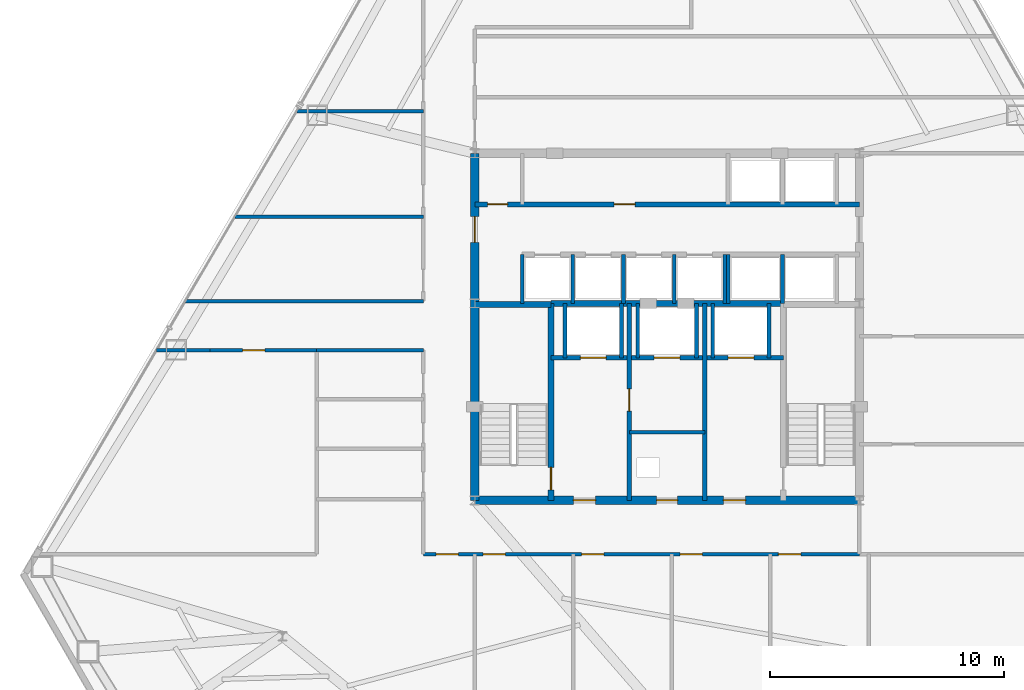
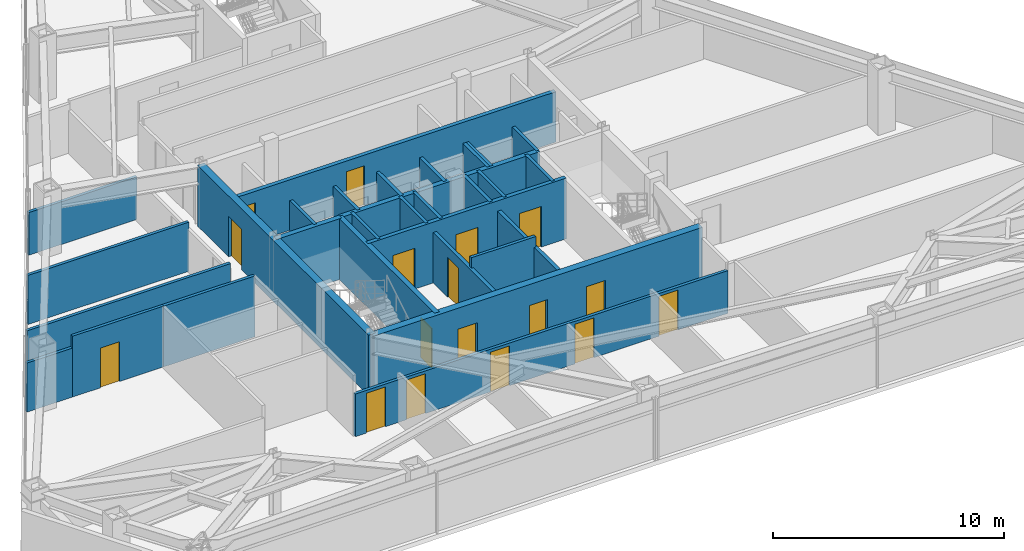
# One storey, part 9 of 12: 30 walls, 17 doors, 17 openings.
"""IFC4 building model written with IfcOpenShell, lengths in metres."""

from ifc_helpers import new_model, si_unit, direction, frame, frame_2d, origin, place, context, subcontext, project, spatial, rectangle, extrude, material, layer, layer_set, type_object, element, fill, save


model = new_model("IFC4")

# Units and contexts
model_context = context("Model", 3, precision=1e-05, world=origin(), true_north=direction((0.0, 1.0)))
body_context = subcontext(model_context, "Body", "Model", "MODEL_VIEW")
ifc_project = project(units=[si_unit("LENGTHUNIT", "METRE"), si_unit("AREAUNIT", "SQUARE_METRE"), si_unit("VOLUMEUNIT", "CUBIC_METRE"), si_unit("PLANEANGLEUNIT", "RADIAN"), si_unit("MASSUNIT", "GRAM", prefix="KILO")], contexts=[model_context])

# Site, building, storey
site_placement = place(None, origin())
site = spatial("IfcSite", under=ifc_project, at=site_placement, CompositionType="ELEMENT")
building_placement = place(site_placement, origin())
building = spatial("IfcBuilding", under=site, at=building_placement, Name="Varakhsha Concourse Tower", CompositionType="ELEMENT")
storey_placement = place(building_placement, frame((0.0, 0.0, 129.800048828125)))
storey = spatial("IfcBuildingStorey", under=building, at=storey_placement, Name="L37", CompositionType="ELEMENT", Elevation=129.800048828125)

# Wall, openings, doors
ifc_material_1 = material(Name="Concrete fc 65 MPa", Category="concrete")
ifc_layer_1 = layer(ifc_material_1, 0.35009765625, Name="WL-CORE-350")
ifc_layer_set_1 = layer_set([ifc_layer_1], Name="Concrete fc 65 MPa")
wall_type_1 = type_object("IfcWallType", Name="WL-CORE-350", PredefinedType="SHEAR", material=ifc_layer_set_1)
wall_1_placement = place(storey_placement, frame((31.800048828125, 16.39990234375, 0.0), z_axis=(0.0, 0.0, 1.0), x_axis=(1.0, 0.0, 0.0)))
wall_1 = element("IfcWall", 1, at=wall_1_placement, inside=storey, type_object=wall_type_1, Name="L37 Wall CWALL-S-L37", PredefinedType="SHEAR", context=body_context, shape_type="SweptSolid", body=[
    extrude(rectangle(XDim=16.39990234375, YDim=0.35009765625, at=frame_2d((8.199951171875, 0.0))), origin(), (0.0, 0.0, 1.0), 3.2099609375),
])
opening_1_placement = place(wall_1_placement, frame((7.75, 0.0, 0.0)))
opening_1 = element("IfcOpeningElement", 2, at=opening_1_placement, cuts=wall_1, Name="Opening DF-06", PredefinedType="OPENING", context=body_context, shape_type="SweptSolid", body=[
    extrude(rectangle(XDim=0.89990234375, YDim=2.10009765625, at=frame_2d((0.449951171875, 1.050048828125))), frame((0.0, 0.18505859375, 0.0), z_axis=(0.0, -1.0, 0.0), x_axis=(1.0, 0.0, 0.0)), (0.0, 0.0, 1.0), 0.3701171875),
])
opening_2_placement = place(wall_1_placement, frame((4.199951171875, 0.0, 0.0)))
opening_2 = element("IfcOpeningElement", 3, at=opening_2_placement, cuts=wall_1, Name="Opening DF-05", PredefinedType="OPENING", context=body_context, shape_type="SweptSolid", body=[
    extrude(rectangle(XDim=0.949951171875, YDim=2.10009765625, at=frame_2d((0.47509765625, 1.050048828125))), frame((0.0, 0.18505859375, 0.0), z_axis=(0.0, -1.0, 0.0), x_axis=(1.0, 0.0, 0.0)), (0.0, 0.0, 1.0), 0.3701171875),
])
opening_3_placement = place(wall_1_placement, frame((10.60009765625, 0.0, 0.0)))
opening_3 = element("IfcOpeningElement", 4, at=opening_3_placement, cuts=wall_1, Name="Opening DF-05", PredefinedType="OPENING", context=body_context, shape_type="SweptSolid", body=[
    extrude(rectangle(XDim=0.949951171875, YDim=2.10009765625, at=frame_2d((0.47509765625, 1.050048828125))), frame((0.0, 0.18505859375, 0.0), z_axis=(0.0, -1.0, 0.0), x_axis=(1.0, 0.0, 0.0)), (0.0, 0.0, 1.0), 0.3701171875),
])
ifc_material_2 = material(Name="Hollow Galvanised Steel Fire Door Assembly", Category="steel")
door_type_1 = type_object("IfcDoorType", Name="DR-FD60-900", OperationType="NOTDEFINED", PredefinedType="DOOR", material=ifc_material_2)
door_1_placement = place(opening_1_placement, origin())
door_1 = element("IfcDoor", 5, at=door_1_placement, inside=storey, type_object=door_type_1, Name="L37 Electrical Riser Access Door", OperationType="SINGLE_SWING_LEFT", OverallHeight=2.10009765625, OverallWidth=0.89990234375, PredefinedType="DOOR", context=body_context, shape_type="SweptSolid", body=[
    extrude(rectangle(XDim=0.89990234375, YDim=2.10009765625, at=frame_2d((0.449951171875, 1.050048828125))), frame((0.0, 0.02490234375, 0.0), z_axis=(0.0, -1.0, 0.0), x_axis=(1.0, 0.0, 0.0)), (0.0, 0.0, 1.0), 0.050048828125),
])
fill(opening_1, door_1)
door_type_2 = type_object("IfcDoorType", Name="DR-FD60-950", OperationType="NOTDEFINED", PredefinedType="DOOR", material=ifc_material_2)
door_2_placement = place(opening_2_placement, origin())
door_2 = element("IfcDoor", 6, at=door_2_placement, inside=storey, type_object=door_type_2, Name="L37 Firefighting Lobby West Door", OperationType="SINGLE_SWING_RIGHT", OverallHeight=2.10009765625, OverallWidth=0.949951171875, PredefinedType="DOOR", context=body_context, shape_type="SweptSolid", body=[
    extrude(rectangle(XDim=0.949951171875, YDim=2.10009765625, at=frame_2d((0.47509765625, 1.050048828125))), frame((0.0, 0.02490234375, 0.0), z_axis=(0.0, -1.0, 0.0), x_axis=(1.0, 0.0, 0.0)), (0.0, 0.0, 1.0), 0.050048828125),
])
fill(opening_2, door_2)
door_3_placement = place(opening_3_placement, origin())
door_3 = element("IfcDoor", 7, at=door_3_placement, inside=storey, type_object=door_type_2, Name="L37 Firefighting Lobby East Door", OperationType="SINGLE_SWING_LEFT", OverallHeight=2.10009765625, OverallWidth=0.949951171875, PredefinedType="DOOR", context=body_context, shape_type="SweptSolid", body=[
    extrude(rectangle(XDim=0.949951171875, YDim=2.10009765625, at=frame_2d((0.47509765625, 1.050048828125))), frame((0.0, 0.02490234375, 0.0), z_axis=(0.0, -1.0, 0.0), x_axis=(1.0, 0.0, 0.0)), (0.0, 0.0, 1.0), 0.050048828125),
])
fill(opening_3, door_3)

# Wall, opening, door
wall_2_placement = place(storey_placement, frame((31.800048828125, 16.39990234375, 0.0), z_axis=(0.0, 0.0, 1.0), x_axis=(0.0, 1.0, 0.0)))
wall_2 = element("IfcWall", 8, at=wall_2_placement, inside=storey, type_object=wall_type_1, Name="L37 Wall CWALL-W-L37", PredefinedType="SHEAR", context=body_context, shape_type="SweptSolid", body=[
    extrude(rectangle(XDim=14.800048828125, YDim=0.35009765625, at=frame_2d((7.39990234375, 0.0))), origin(), (0.0, 0.0, 1.0), 3.2099609375),
])
opening_4_placement = place(wall_2_placement, frame((11.0, 0.0, 0.0)))
opening_4 = element("IfcOpeningElement", 9, at=opening_4_placement, cuts=wall_2, Name="Opening DL-01", PredefinedType="OPENING", context=body_context, shape_type="SweptSolid", body=[
    extrude(rectangle(XDim=1.10009765625, YDim=2.14990234375, at=frame_2d((0.550048828125, 1.074951171875))), frame((0.0, 0.18505859375, 0.0), z_axis=(0.0, -1.0, 0.0), x_axis=(1.0, 0.0, 0.0)), (0.0, 0.0, 1.0), 0.3701171875),
])
ifc_material_3 = material(Name="Anodised Bronze Architectural Aluminium AA 6063-T6", Category="aluminium")
door_type_3 = type_object("IfcDoorType", Name="DR-LOB-1100", OperationType="NOTDEFINED", PredefinedType="DOOR", material=ifc_material_3)
door_4_placement = place(opening_4_placement, origin())
door_4 = element("IfcDoor", 10, at=door_4_placement, inside=storey, type_object=door_type_3, Name="L37 Lift Lobby West Concourse Door", OperationType="SINGLE_SWING_LEFT", OverallHeight=2.14990234375, OverallWidth=1.10009765625, PredefinedType="DOOR", context=body_context, shape_type="SweptSolid", body=[
    extrude(rectangle(XDim=1.10009765625, YDim=2.14990234375, at=frame_2d((0.550048828125, 1.074951171875))), frame((0.0, 0.02490234375, 0.0), z_axis=(0.0, -1.0, 0.0), x_axis=(1.0, 0.0, 0.0)), (0.0, 0.0, 1.0), 0.050048828125),
])
fill(opening_4, door_4)

ifc_material_4 = material(Name="Fire-Rated Type X Gypsum Partition Assembly", Category="gypsum")
ifc_layer_2 = layer(ifc_material_4, 0.179931640625, Name="WL-FFLOB-180")
ifc_layer_set_2 = layer_set([ifc_layer_2], Name="Fire-Rated Type X Gypsum Partition Assembly")
wall_type_2 = type_object("IfcWallType", Name="WL-FFLOB-180", PredefinedType="PARTITIONING", material=ifc_layer_set_2)
wall_3_placement = place(storey_placement, frame((38.389892578125, 16.39990234375, 0.0), z_axis=(0.0, 0.0, 1.0), x_axis=(0.0, 1.0, 0.0)))
wall_3 = element("IfcWall", 11, at=wall_3_placement, inside=storey, type_object=wall_type_2, Name="L37 Wall FFW-1E-L37", PredefinedType="PARTITIONING", context=body_context, shape_type="SweptSolid", body=[
    extrude(rectangle(XDim=8.400146484375, YDim=0.179931640625, at=frame_2d((4.2001953125, 0.0))), origin(), (0.0, 0.0, 1.0), 2.660888671875),
])
opening_5_placement = place(wall_3_placement, frame((3.800048828125, 0.0, 0.0)))
opening_5 = element("IfcOpeningElement", 12, at=opening_5_placement, cuts=wall_3, Name="Opening DF-05", PredefinedType="OPENING", context=body_context, shape_type="SweptSolid", body=[
    extrude(rectangle(XDim=0.949951171875, YDim=2.10009765625, at=frame_2d((0.47509765625, 1.050048828125))), frame((0.0, 0.099853515625, 0.0), z_axis=(0.0, -1.0, 0.0), x_axis=(1.0, 0.0, 0.0)), (0.0, 0.0, 1.0), 0.199951171875),
])
door_5_placement = place(opening_5_placement, origin())
door_5 = element("IfcDoor", 13, at=door_5_placement, inside=storey, type_object=door_type_2, Name="L37 Service Vestibule Door", OperationType="SINGLE_SWING_RIGHT", OverallHeight=2.10009765625, OverallWidth=0.949951171875, PredefinedType="DOOR", context=body_context, shape_type="SweptSolid", body=[
    extrude(rectangle(XDim=0.949951171875, YDim=2.10009765625, at=frame_2d((0.47509765625, 1.050048828125))), frame((0.0, 0.02490234375, 0.0), z_axis=(0.0, -1.0, 0.0), x_axis=(1.0, 0.0, 0.0)), (0.0, 0.0, 1.0), 0.050048828125),
])
fill(opening_5, door_5)

# Walls
wall_4_placement = place(storey_placement, frame((41.610107421875, 16.39990234375, 0.0), z_axis=(0.0, 0.0, 1.0), x_axis=(0.0, 1.0, 0.0)))
element("IfcWall", 14, at=wall_4_placement, inside=storey, type_object=wall_type_2, Name="L37 Wall FFW-2W-L37", PredefinedType="PARTITIONING", context=body_context, shape_type="SweptSolid", body=[
    extrude(rectangle(XDim=8.400146484375, YDim=0.179931640625, at=frame_2d((4.2001953125, 0.0))), origin(), (0.0, 0.0, 1.0), 2.660888671875),
])
ifc_layer_3 = layer(ifc_material_4, 0.14990234375, Name="WL-PART-150")
ifc_layer_set_3 = layer_set([ifc_layer_3], Name="Fire-Rated Type X Gypsum Partition Assembly")
wall_type_3 = type_object("IfcWallType", Name="WL-PART-150", PredefinedType="PARTITIONING", material=ifc_layer_set_3)
wall_5_placement = place(storey_placement, frame((38.389892578125, 19.300048828125, 0.0), z_axis=(0.0, 0.0, 1.0), x_axis=(1.0, 0.0, 0.0)))
element("IfcWall", 15, at=wall_5_placement, inside=storey, type_object=wall_type_3, Name="L37 Wall RSW-H-L37", PredefinedType="PARTITIONING", context=body_context, shape_type="SweptSolid", body=[
    extrude(rectangle(XDim=3.22021484375, YDim=0.14990234375, at=frame_2d((1.610107421875, 0.0))), origin(), (0.0, 0.0, 1.0), 3.2099609375),
])

# Wall, openings, doors
wall_6_placement = place(storey_placement, frame((29.60009765625, 14.10009765625, 0.0), z_axis=(0.0, 0.0, 1.0), x_axis=(1.0, 0.0, 0.0)))
wall_6 = element("IfcWall", 16, at=wall_6_placement, inside=storey, type_object=wall_type_3, Name="L37 Wall CRW-S-L37", PredefinedType="PARTITIONING", context=body_context, shape_type="SweptSolid", body=[
    extrude(rectangle(XDim=18.599853515625, YDim=0.14990234375, at=frame_2d((9.2998046875, 0.0))), origin(), (0.0, 0.0, 1.0), 2.251953125),
])
opening_6_placement = place(wall_6_placement, frame((0.550048828125, 0.0, 0.0)))
opening_6 = element("IfcOpeningElement", 17, at=opening_6_placement, cuts=wall_6, Name="Opening DF-05", PredefinedType="OPENING", context=body_context, shape_type="SweptSolid", body=[
    extrude(rectangle(XDim=0.949951171875, YDim=2.10009765625, at=frame_2d((0.47509765625, 1.050048828125))), frame((0.0, 0.0849609375, 0.0), z_axis=(0.0, -1.0, 0.0), x_axis=(1.0, 0.0, 0.0)), (0.0, 0.0, 1.0), 0.169921875),
])
opening_7_placement = place(wall_6_placement, frame((2.550048828125, 0.0, 0.0)))
opening_7 = element("IfcOpeningElement", 18, at=opening_7_placement, cuts=wall_6, Name="Opening DF-05", PredefinedType="OPENING", context=body_context, shape_type="SweptSolid", body=[
    extrude(rectangle(XDim=0.949951171875, YDim=2.10009765625, at=frame_2d((0.47509765625, 1.050048828125))), frame((0.0, 0.0849609375, 0.0), z_axis=(0.0, -1.0, 0.0), x_axis=(1.0, 0.0, 0.0)), (0.0, 0.0, 1.0), 0.169921875),
])
opening_8_placement = place(wall_6_placement, frame((6.75, 0.0, 0.0)))
opening_8 = element("IfcOpeningElement", 19, at=opening_8_placement, cuts=wall_6, Name="Opening DF-05", PredefinedType="OPENING", context=body_context, shape_type="SweptSolid", body=[
    extrude(rectangle(XDim=0.949951171875, YDim=2.10009765625, at=frame_2d((0.47509765625, 1.050048828125))), frame((0.0, 0.0849609375, 0.0), z_axis=(0.0, -1.0, 0.0), x_axis=(1.0, 0.0, 0.0)), (0.0, 0.0, 1.0), 0.169921875),
])
opening_9_placement = place(wall_6_placement, frame((10.949951171875, 0.0, 0.0)))
opening_9 = element("IfcOpeningElement", 20, at=opening_9_placement, cuts=wall_6, Name="Opening DF-05", PredefinedType="OPENING", context=body_context, shape_type="SweptSolid", body=[
    extrude(rectangle(XDim=0.949951171875, YDim=2.10009765625, at=frame_2d((0.47509765625, 1.050048828125))), frame((0.0, 0.0849609375, 0.0), z_axis=(0.0, -1.0, 0.0), x_axis=(1.0, 0.0, 0.0)), (0.0, 0.0, 1.0), 0.169921875),
])
opening_10_placement = place(wall_6_placement, frame((15.14990234375, 0.0, 0.0)))
opening_10 = element("IfcOpeningElement", 21, at=opening_10_placement, cuts=wall_6, Name="Opening DF-05", PredefinedType="OPENING", context=body_context, shape_type="SweptSolid", body=[
    extrude(rectangle(XDim=0.949951171875, YDim=2.10009765625, at=frame_2d((0.47509765625, 1.050048828125))), frame((0.0, 0.0849609375, 0.0), z_axis=(0.0, -1.0, 0.0), x_axis=(1.0, 0.0, 0.0)), (0.0, 0.0, 1.0), 0.169921875),
])
door_6_placement = place(opening_6_placement, origin())
door_6 = element("IfcDoor", 22, at=door_6_placement, inside=storey, type_object=door_type_2, Name="L37 BIM Coordination Workroom L37-S1 Door", OperationType="SINGLE_SWING_LEFT", OverallHeight=2.10009765625, OverallWidth=0.949951171875, PredefinedType="DOOR", context=body_context, shape_type="SweptSolid", body=[
    extrude(rectangle(XDim=0.949951171875, YDim=2.10009765625, at=frame_2d((0.47509765625, 1.050048828125))), frame((0.0, 0.02490234375, 0.0), z_axis=(0.0, -1.0, 0.0), x_axis=(1.0, 0.0, 0.0)), (0.0, 0.0, 1.0), 0.050048828125),
])
fill(opening_6, door_6)
door_7_placement = place(opening_7_placement, origin())
door_7 = element("IfcDoor", 23, at=door_7_placement, inside=storey, type_object=door_type_2, Name="L37 Dry R&D Design Lab L37-S2 Door", OperationType="SINGLE_SWING_RIGHT", OverallHeight=2.10009765625, OverallWidth=0.949951171875, PredefinedType="DOOR", context=body_context, shape_type="SweptSolid", body=[
    extrude(rectangle(XDim=0.949951171875, YDim=2.10009765625, at=frame_2d((0.47509765625, 1.050048828125))), frame((0.0, 0.02490234375, 0.0), z_axis=(0.0, -1.0, 0.0), x_axis=(1.0, 0.0, 0.0)), (0.0, 0.0, 1.0), 0.050048828125),
])
fill(opening_7, door_7)
door_8_placement = place(opening_8_placement, origin())
door_8 = element("IfcDoor", 24, at=door_8_placement, inside=storey, type_object=door_type_2, Name="L37 Dry R&D Design Lab L37-S3 Door", OperationType="SINGLE_SWING_LEFT", OverallHeight=2.10009765625, OverallWidth=0.949951171875, PredefinedType="DOOR", context=body_context, shape_type="SweptSolid", body=[
    extrude(rectangle(XDim=0.949951171875, YDim=2.10009765625, at=frame_2d((0.47509765625, 1.050048828125))), frame((0.0, 0.02490234375, 0.0), z_axis=(0.0, -1.0, 0.0), x_axis=(1.0, 0.0, 0.0)), (0.0, 0.0, 1.0), 0.050048828125),
])
fill(opening_8, door_8)
door_9_placement = place(opening_9_placement, origin())
door_9 = element("IfcDoor", 25, at=door_9_placement, inside=storey, type_object=door_type_2, Name="L37 Dry R&D Design Lab L37-S4 Door", OperationType="SINGLE_SWING_RIGHT", OverallHeight=2.10009765625, OverallWidth=0.949951171875, PredefinedType="DOOR", context=body_context, shape_type="SweptSolid", body=[
    extrude(rectangle(XDim=0.949951171875, YDim=2.10009765625, at=frame_2d((0.47509765625, 1.050048828125))), frame((0.0, 0.02490234375, 0.0), z_axis=(0.0, -1.0, 0.0), x_axis=(1.0, 0.0, 0.0)), (0.0, 0.0, 1.0), 0.050048828125),
])
fill(opening_9, door_9)
door_10_placement = place(opening_10_placement, origin())
door_10 = element("IfcDoor", 26, at=door_10_placement, inside=storey, type_object=door_type_2, Name="L37 Dry R&D Design Lab L37-S5 Door", OperationType="SINGLE_SWING_LEFT", OverallHeight=2.10009765625, OverallWidth=0.949951171875, PredefinedType="DOOR", context=body_context, shape_type="SweptSolid", body=[
    extrude(rectangle(XDim=0.949951171875, YDim=2.10009765625, at=frame_2d((0.47509765625, 1.050048828125))), frame((0.0, 0.02490234375, 0.0), z_axis=(0.0, -1.0, 0.0), x_axis=(1.0, 0.0, 0.0)), (0.0, 0.0, 1.0), 0.050048828125),
])
fill(opening_10, door_10)

# Walls
wall_7_placement = place(storey_placement, frame((18.2236328125, 22.800048828125, 0.0), z_axis=(0.0, 0.0, 1.0), x_axis=(1.0, 0.0, 0.0)))
element("IfcWall", 27, at=wall_7_placement, inside=storey, type_object=wall_type_3, Name="L37 Wall CRW-WWS-W-L37", PredefinedType="PARTITIONING", context=body_context, shape_type="SweptSolid", body=[
    extrude(rectangle(XDim=2.2763671875, YDim=0.14990234375, at=frame_2d((1.13818359375, 0.0))), origin(), (0.0, 0.0, 1.0), 2.5888671875),
])
wall_8_placement = place(storey_placement, frame((25.050048828125, 22.800048828125, 0.0), z_axis=(0.0, 0.0, 1.0), x_axis=(1.0, 0.0, 0.0)))
element("IfcWall", 28, at=wall_8_placement, inside=storey, type_object=wall_type_3, Name="L37 Wall CRW-WWS-E-L37", PredefinedType="PARTITIONING", context=body_context, shape_type="SweptSolid", body=[
    extrude(rectangle(XDim=4.550048828125, YDim=0.14990234375, at=frame_2d((2.27490234375, 0.0))), origin(), (0.0, 0.0, 1.0), 3.2099609375),
])
wall_9_placement = place(storey_placement, frame((19.455078125, 24.89990234375, 0.0), z_axis=(0.0, 0.0, 1.0), x_axis=(1.0, 0.0, 0.0)))
element("IfcWall", 29, at=wall_9_placement, inside=storey, type_object=wall_type_3, Name="L37 Wall CRW-WWN-L37", PredefinedType="PARTITIONING", context=body_context, shape_type="SweptSolid", body=[
    extrude(rectangle(XDim=10.14501953125, YDim=0.14990234375, at=frame_2d((5.072509765625, 0.0))), origin(), (0.0, 0.0, 1.0), 2.5888671875),
])

# Wall, opening, door
wall_10_placement = place(storey_placement, frame((20.5, 22.800048828125, 0.0), z_axis=(0.0, 0.0, 1.0), x_axis=(1.0, 0.0, 0.0)))
wall_10 = element("IfcWall", 30, at=wall_10_placement, inside=storey, type_object=wall_type_3, Name="L37 Wall CRW-WWS-DOOR-L37", PredefinedType="PARTITIONING", context=body_context, shape_type="SweptSolid", body=[
    extrude(rectangle(XDim=4.550048828125, YDim=0.14990234375, at=frame_2d((2.27490234375, 0.0))), origin(), (0.0, 0.0, 1.0), 3.2099609375),
])
opening_11_placement = place(wall_10_placement, frame((1.39990234375, 0.0, 0.0)))
opening_11 = element("IfcOpeningElement", 31, at=opening_11_placement, cuts=wall_10, Name="Opening DF-05", PredefinedType="OPENING", context=body_context, shape_type="SweptSolid", body=[
    extrude(rectangle(XDim=0.949951171875, YDim=2.10009765625, at=frame_2d((0.47509765625, 1.050048828125))), frame((0.0, 0.0849609375, 0.0), z_axis=(0.0, -1.0, 0.0), x_axis=(1.0, 0.0, 0.0)), (0.0, 0.0, 1.0), 0.169921875),
])
door_11_placement = place(opening_11_placement, origin())
door_11 = element("IfcDoor", 32, at=door_11_placement, inside=storey, type_object=door_type_2, Name="L37 Instrumentation Calibration Studio L37-SW Door", OperationType="SINGLE_SWING_LEFT", OverallHeight=2.10009765625, OverallWidth=0.949951171875, PredefinedType="DOOR", context=body_context, shape_type="SweptSolid", body=[
    extrude(rectangle(XDim=0.949951171875, YDim=2.10009765625, at=frame_2d((0.47509765625, 1.050048828125))), frame((0.0, 0.02490234375, 0.0), z_axis=(0.0, -1.0, 0.0), x_axis=(1.0, 0.0, 0.0)), (0.0, 0.0, 1.0), 0.050048828125),
])
fill(opening_11, door_11)

# Walls
wall_11_placement = place(storey_placement, frame((21.56640625, 28.5, 0.0), z_axis=(0.0, 0.0, 1.0), x_axis=(1.0, 0.0, 0.0)))
element("IfcWall", 33, at=wall_11_placement, inside=storey, type_object=wall_type_3, Name="L37 Wall ODIV-W1-L37", PredefinedType="PARTITIONING", context=body_context, shape_type="SweptSolid", body=[
    extrude(rectangle(XDim=8.03369140625, YDim=0.14990234375, at=frame_2d((4.016845703125, 0.0))), origin(), (0.0, 0.0, 1.0), 2.5888671875),
])
wall_12_placement = place(storey_placement, frame((24.205322265625, 33.0, 0.0), z_axis=(0.0, 0.0, 1.0), x_axis=(1.0, 0.0, 0.0)))
element("IfcWall", 34, at=wall_12_placement, inside=storey, type_object=wall_type_3, Name="L37 Wall ODIV-W2-L37", PredefinedType="PARTITIONING", context=body_context, shape_type="SweptSolid", body=[
    extrude(rectangle(XDim=5.394775390625, YDim=0.14990234375, at=frame_2d((2.697265625, 0.0))), origin(), (0.0, 0.0, 1.0), 2.251953125),
])

# Wall, openings, doors
ifc_layer_4 = layer(ifc_material_4, 0.199951171875, Name="WL-SHAFT-220")
ifc_layer_set_4 = layer_set([ifc_layer_4], Name="Fire-Rated Type X Gypsum Partition Assembly")
wall_type_4 = type_object("IfcWallType", Name="WL-SHAFT-220", PredefinedType="SOLIDWALL", material=ifc_layer_set_4)
wall_13_placement = place(storey_placement, frame((35.044921875, 22.47998046875, 0.0), z_axis=(0.0, 0.0, 1.0), x_axis=(1.0, 0.0, 0.0)))
wall_13 = element("IfcWall", 35, at=wall_13_placement, inside=storey, type_object=wall_type_4, Name="L37 Wall FFW-NH-L37", PredefinedType="SOLIDWALL", context=body_context, shape_type="SweptSolid", body=[
    extrude(rectangle(XDim=9.91015625, YDim=0.199951171875, at=frame_2d((4.955078125, 0.0))), origin(), (0.0, 0.0, 1.0), 3.2099609375),
])
opening_12_placement = place(wall_13_placement, frame((1.2548828125, 0.0, 0.0)))
opening_12 = element("IfcOpeningElement", 36, at=opening_12_placement, cuts=wall_13, Name="Opening LD-FFL-1", PredefinedType="OPENING", context=body_context, shape_type="SweptSolid", body=[
    extrude(rectangle(XDim=1.10009765625, YDim=2.14990234375, at=frame_2d((0.550048828125, 1.074951171875))), frame((0.0, 0.10986328125, 0.0), z_axis=(0.0, -1.0, 0.0), x_axis=(1.0, 0.0, 0.0)), (0.0, 0.0, 1.0), 0.219970703125),
])
opening_13_placement = place(wall_13_placement, frame((7.554931640625, 0.0, 0.0)))
opening_13 = element("IfcOpeningElement", 37, at=opening_13_placement, cuts=wall_13, Name="Opening LD-FFL-2", PredefinedType="OPENING", context=body_context, shape_type="SweptSolid", body=[
    extrude(rectangle(XDim=1.10009765625, YDim=2.14990234375, at=frame_2d((0.550048828125, 1.074951171875))), frame((0.0, 0.10986328125, 0.0), z_axis=(0.0, -1.0, 0.0), x_axis=(1.0, 0.0, 0.0)), (0.0, 0.0, 1.0), 0.219970703125),
])
opening_14_placement = place(wall_13_placement, frame((4.405029296875, 0.0, 0.0)))
opening_14 = element("IfcOpeningElement", 38, at=opening_14_placement, cuts=wall_13, Name="Opening LD-SVL-1", PredefinedType="OPENING", context=body_context, shape_type="SweptSolid", body=[
    extrude(rectangle(XDim=1.10009765625, YDim=2.14990234375, at=frame_2d((0.550048828125, 1.074951171875))), frame((0.0, 0.10986328125, 0.0), z_axis=(0.0, -1.0, 0.0), x_axis=(1.0, 0.0, 0.0)), (0.0, 0.0, 1.0), 0.219970703125),
])
ifc_material_5 = material(Name="Brushed Austenitic Stainless Steel AISI 316", Category="steel")
door_type_4 = type_object("IfcDoorType", Name="DR-LD-1100", OperationType="DOUBLE_DOOR_SLIDING", PredefinedType="DOOR", material=ifc_material_5)
door_12_placement = place(opening_12_placement, origin())
door_12 = element("IfcDoor", 39, at=door_12_placement, inside=storey, type_object=door_type_4, Name="Lift Landing Door FFL-1 L37", OperationType="DOUBLE_DOOR_SLIDING", OverallHeight=2.14990234375, OverallWidth=1.10009765625, PredefinedType="DOOR", context=body_context, shape_type="SweptSolid", body=[
    extrude(rectangle(XDim=1.10009765625, YDim=2.14990234375, at=frame_2d((0.550048828125, 1.074951171875))), frame((0.0, 0.02490234375, 0.0), z_axis=(0.0, -1.0, 0.0), x_axis=(1.0, 0.0, 0.0)), (0.0, 0.0, 1.0), 0.050048828125),
])
fill(opening_12, door_12)
door_13_placement = place(opening_13_placement, origin())
door_13 = element("IfcDoor", 40, at=door_13_placement, inside=storey, type_object=door_type_4, Name="Lift Landing Door FFL-2 L37", OperationType="DOUBLE_DOOR_SLIDING", OverallHeight=2.14990234375, OverallWidth=1.10009765625, PredefinedType="DOOR", context=body_context, shape_type="SweptSolid", body=[
    extrude(rectangle(XDim=1.10009765625, YDim=2.14990234375, at=frame_2d((0.550048828125, 1.074951171875))), frame((0.0, 0.02490234375, 0.0), z_axis=(0.0, -1.0, 0.0), x_axis=(1.0, 0.0, 0.0)), (0.0, 0.0, 1.0), 0.050048828125),
])
fill(opening_13, door_13)
door_14_placement = place(opening_14_placement, origin())
door_14 = element("IfcDoor", 41, at=door_14_placement, inside=storey, type_object=door_type_4, Name="Lift Landing Door SVL-1 L37", OperationType="DOUBLE_DOOR_SLIDING", OverallHeight=2.14990234375, OverallWidth=1.10009765625, PredefinedType="DOOR", context=body_context, shape_type="SweptSolid", body=[
    extrude(rectangle(XDim=1.10009765625, YDim=2.14990234375, at=frame_2d((0.550048828125, 1.074951171875))), frame((0.0, 0.02490234375, 0.0), z_axis=(0.0, -1.0, 0.0), x_axis=(1.0, 0.0, 0.0)), (0.0, 0.0, 1.0), 0.050048828125),
])
fill(opening_14, door_14)

# Walls
for number, where, z_axis, x_axis, name in (
    (42, (35.64990234375, 22.47998046875, 0.0), (0.0, 0.0, 1.0), (0.0, 1.0, 0.0), "L37 Wall SHW-FFL-1-W-L37"),
    (43, (38.050048828125, 22.47998046875, 0.0), (0.0, 0.0, 1.0), (0.0, 1.0, 0.0), "L37 Wall SHW-FFL-1-E-L37"),
    (44, (41.949951171875, 22.47998046875, 0.0), (0.0, 0.0, 1.0), (0.0, 1.0, 0.0), "L37 Wall SHW-FFL-2-W-L37"),
    (45, (44.35009765625, 22.47998046875, 0.0), (0.0, 0.0, 1.0), (0.0, 1.0, 0.0), "L37 Wall SHW-FFL-2-E-L37"),
    (46, (38.75, 22.47998046875, 0.0), (0.0, 0.0, 1.0), (0.0, 1.0, 0.0), "L37 Wall SHW-SVL-1-W-L37"),
    (47, (41.25, 22.47998046875, 0.0), (0.0, 0.0, 1.0), (0.0, 1.0, 0.0), "L37 Wall SHW-SVL-1-E-L37"),
):
    element("IfcWall", number, at=place(storey_placement, frame(where, z_axis=z_axis, x_axis=x_axis)), inside=storey, type_object=wall_type_4, Name=name, PredefinedType="SOLIDWALL", context=body_context, shape_type="SweptSolid", body=[
        extrude(rectangle(XDim=2.320068359375, YDim=0.159912109375, at=frame_2d((1.16015625, 0.0))), origin(), (0.0, 0.0, 1.0), 3.2099609375),
    ])

# Wall, openings, doors
wall_14_placement = place(storey_placement, frame((31.800048828125, 29.02001953125, 0.0), z_axis=(0.0, 0.0, 1.0), x_axis=(1.0, 0.0, 0.0)))
wall_14 = element("IfcWall", 48, at=wall_14_placement, inside=storey, type_object=wall_type_4, Name="L37 Wall PLW-N-L37", PredefinedType="SOLIDWALL", context=body_context, shape_type="SweptSolid", body=[
    extrude(rectangle(XDim=16.39990234375, YDim=0.199951171875, at=frame_2d((8.199951171875, 0.0))), origin(), (0.0, 0.0, 1.0), 2.660888671875),
])
opening_15_placement = place(wall_14_placement, frame((0.550048828125, 0.0, 0.0)))
opening_15 = element("IfcOpeningElement", 49, at=opening_15_placement, cuts=wall_14, Name="Opening DF-07", PredefinedType="OPENING", context=body_context, shape_type="SweptSolid", body=[
    extrude(rectangle(XDim=0.85009765625, YDim=2.050048828125, at=frame_2d((0.425048828125, 1.02490234375))), frame((0.0, 0.10986328125, 0.0), z_axis=(0.0, -1.0, 0.0), x_axis=(1.0, 0.0, 0.0)), (0.0, 0.0, 1.0), 0.219970703125),
])
opening_16_placement = place(wall_14_placement, frame((5.93994140625, 0.0, 0.0)))
opening_16 = element("IfcOpeningElement", 50, at=opening_16_placement, cuts=wall_14, Name="Opening DF-06", PredefinedType="OPENING", context=body_context, shape_type="SweptSolid", body=[
    extrude(rectangle(XDim=0.89990234375, YDim=2.10009765625, at=frame_2d((0.449951171875, 1.050048828125))), frame((0.0, 0.10986328125, 0.0), z_axis=(0.0, -1.0, 0.0), x_axis=(1.0, 0.0, 0.0)), (0.0, 0.0, 1.0), 0.219970703125),
])
door_type_5 = type_object("IfcDoorType", Name="DR-FD60-850", OperationType="NOTDEFINED", PredefinedType="DOOR", material=ifc_material_2)
door_15_placement = place(opening_15_placement, origin())
door_15 = element("IfcDoor", 51, at=door_15_placement, inside=storey, type_object=door_type_5, Name="L37 Core Janitor Closet Door", OperationType="SINGLE_SWING_LEFT", OverallHeight=2.050048828125, OverallWidth=0.85009765625, PredefinedType="DOOR", context=body_context, shape_type="SweptSolid", body=[
    extrude(rectangle(XDim=0.85009765625, YDim=2.050048828125, at=frame_2d((0.425048828125, 1.02490234375))), frame((0.0, 0.02490234375, 0.0), z_axis=(0.0, -1.0, 0.0), x_axis=(1.0, 0.0, 0.0)), (0.0, 0.0, 1.0), 0.050048828125),
])
fill(opening_15, door_15)
door_16_placement = place(opening_16_placement, origin())
door_16 = element("IfcDoor", 52, at=door_16_placement, inside=storey, type_object=door_type_1, Name="L37 Tenant Archive and IT Server Room Door", OperationType="SINGLE_SWING_LEFT", OverallHeight=2.10009765625, OverallWidth=0.89990234375, PredefinedType="DOOR", context=body_context, shape_type="SweptSolid", body=[
    extrude(rectangle(XDim=0.89990234375, YDim=2.10009765625, at=frame_2d((0.449951171875, 1.050048828125))), frame((0.0, 0.02490234375, 0.0), z_axis=(0.0, -1.0, 0.0), x_axis=(1.0, 0.0, 0.0)), (0.0, 0.0, 1.0), 0.050048828125),
])
fill(opening_16, door_16)

# Walls
for number, where, z_axis, x_axis, name in (
    (53, (33.820068359375, 24.800048828125, 0.0), (0.0, 0.0, 1.0), (0.0, 1.0, 0.0), "L37 Wall WBOH-E2-L37"),
    (54, (35.97998046875, 24.800048828125, 0.0), (0.0, 0.0, 1.0), (0.0, 1.0, 0.0), "L37 Wall SHW-LF-P05-E-L37"),
    (55, (38.139892578125, 24.800048828125, 0.0), (0.0, 0.0, 1.0), (0.0, 1.0, 0.0), "L37 Wall SHW-LF-P06-E-L37"),
    (56, (40.300048828125, 24.800048828125, 0.0), (0.0, 0.0, 1.0), (0.0, 1.0, 0.0), "L37 Wall SHW-LF-P07-E-L37"),
    (57, (42.4599609375, 24.800048828125, 0.0), (0.0, 0.0, 1.0), (0.0, 1.0, 0.0), "L37 Wall SHW-LF-P08-E-L37"),
    (58, (42.60009765625, 24.800048828125, 0.0), (0.0, 0.0, 1.0), (0.0, 1.0, 0.0), "L37 Wall SHW-LF-P11-W-L37"),
    (59, (44.919921875, 24.800048828125, 0.0), (0.0, 0.0, 1.0), (0.0, 1.0, 0.0), "L37 Wall SHW-LF-P11-E-L37"),
):
    element("IfcWall", number, at=place(storey_placement, frame(where, z_axis=z_axis, x_axis=x_axis)), inside=storey, type_object=wall_type_4, Name=name, PredefinedType="SOLIDWALL", context=body_context, shape_type="SweptSolid", body=[
        extrude(rectangle(XDim=2.079833984375, YDim=0.159912109375, at=frame_2d((1.0400390625, 0.0))), origin(), (0.0, 0.0, 1.0), 3.2099609375),
    ])

# Wall, opening, door
ifc_material_6 = material(Name="Concrete fc 45 MPa", Category="concrete")
ifc_layer_5 = layer(ifc_material_6, 0.25, Name="WL-STAIR-250")
ifc_layer_set_5 = layer_set([ifc_layer_5], Name="Concrete fc 45 MPa")
wall_type_5 = type_object("IfcWallType", Name="WL-STAIR-250", PredefinedType="SHEAR", material=ifc_layer_set_5)
wall_15_placement = place(storey_placement, frame((35.044921875, 16.39990234375, 0.0), z_axis=(0.0, 0.0, 1.0), x_axis=(0.0, 1.0, 0.0)))
wall_15 = element("IfcWall", 60, at=wall_15_placement, inside=storey, type_object=wall_type_5, Name="L37 Wall SWALL-ST1-E-L37", PredefinedType="SHEAR", context=body_context, shape_type="SweptSolid", body=[
    extrude(rectangle(XDim=8.400146484375, YDim=0.25, at=frame_2d((4.2001953125, 0.0))), origin(), (0.0, 0.0, 1.0), 3.2099609375),
])
opening_17_placement = place(wall_15_placement, frame((0.449951171875, 0.0, 0.0)))
opening_17 = element("IfcOpeningElement", 61, at=opening_17_placement, cuts=wall_15, Name="Opening DF-03", PredefinedType="OPENING", context=body_context, shape_type="SweptSolid", body=[
    extrude(rectangle(XDim=0.949951171875, YDim=2.10009765625, at=frame_2d((0.47509765625, 1.050048828125))), frame((0.0, 0.135009765625, 0.0), z_axis=(0.0, -1.0, 0.0), x_axis=(1.0, 0.0, 0.0)), (0.0, 0.0, 1.0), 0.27001953125),
])
door_type_6 = type_object("IfcDoorType", Name="DR-FD90-950", OperationType="NOTDEFINED", PredefinedType="DOOR", material=ifc_material_2)
door_17_placement = place(opening_17_placement, origin())
door_17 = element("IfcDoor", 62, at=door_17_placement, inside=storey, type_object=door_type_6, Name="L37 Stair ST1 Fire Door", OperationType="SINGLE_SWING_LEFT", OverallHeight=2.10009765625, OverallWidth=0.949951171875, PredefinedType="DOOR", context=body_context, shape_type="SweptSolid", body=[
    extrude(rectangle(XDim=0.949951171875, YDim=2.10009765625, at=frame_2d((0.47509765625, 1.050048828125))), frame((0.0, 0.02490234375, 0.0), z_axis=(0.0, -1.0, 0.0), x_axis=(1.0, 0.0, 0.0)), (0.0, 0.0, 1.0), 0.050048828125),
])
fill(opening_17, door_17)

# Walls
wall_16_placement = place(storey_placement, frame((31.800048828125, 24.7548828125, 0.0), z_axis=(0.0, 0.0, 1.0), x_axis=(1.0, 0.0, 0.0)))
element("IfcWall", 63, at=wall_16_placement, inside=storey, type_object=wall_type_5, Name="L37 Wall SWALL-ST1-N-L37", PredefinedType="SHEAR", context=body_context, shape_type="SweptSolid", body=[
    extrude(rectangle(XDim=3.244873046875, YDim=0.25, at=frame_2d((1.62255859375, 0.0))), origin(), (0.0, 0.0, 1.0), 3.2099609375),
])
wall_17_placement = place(storey_placement, frame((35.044921875, 24.800048828125, 0.0), z_axis=(0.0, 0.0, 1.0), x_axis=(1.0, 0.0, 0.0)))
element("IfcWall", 64, at=wall_17_placement, inside=storey, type_object=wall_type_5, Name="L37 Wall SWALL-MID-H-L37", PredefinedType="SHEAR", context=body_context, shape_type="SweptSolid", body=[
    extrude(rectangle(XDim=9.91015625, YDim=0.25, at=frame_2d((4.955078125, 0.0))), origin(), (0.0, 0.0, 1.0), 3.2099609375),
])

save(model, "model.ifc")
